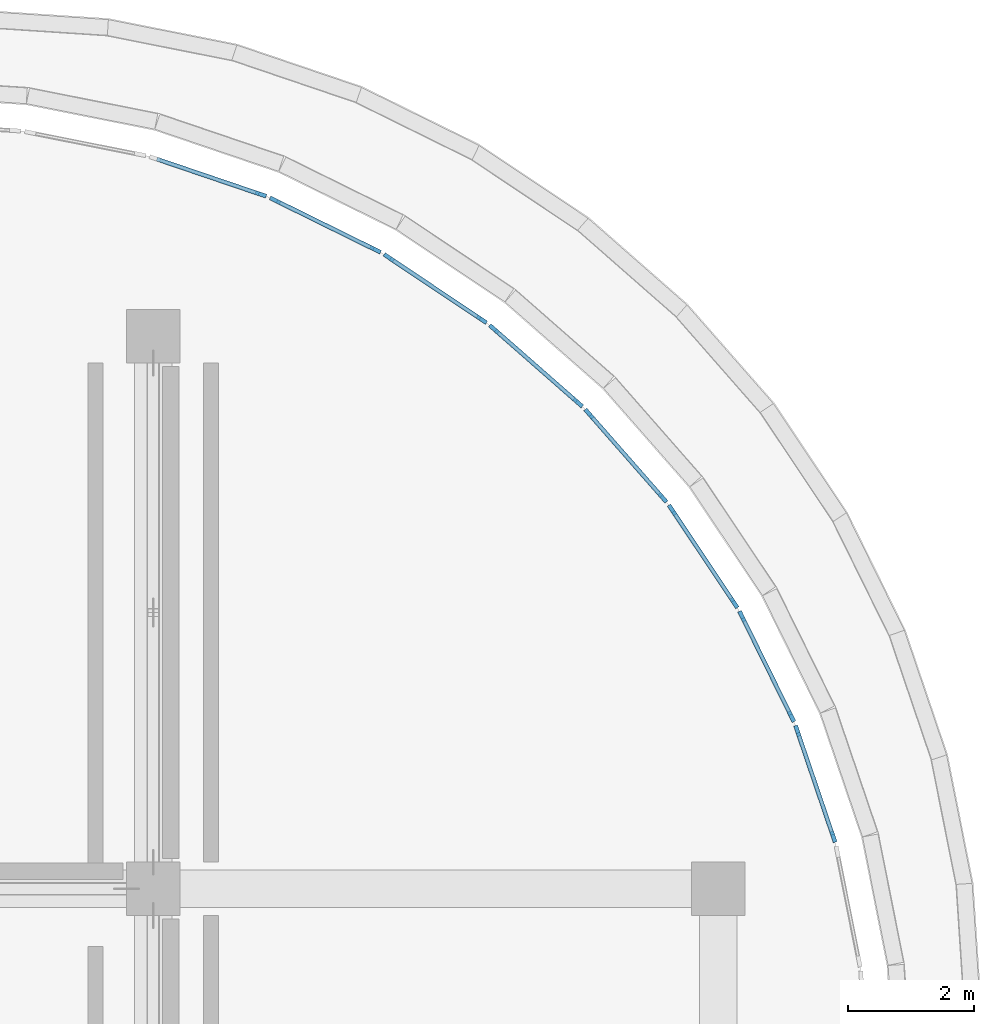
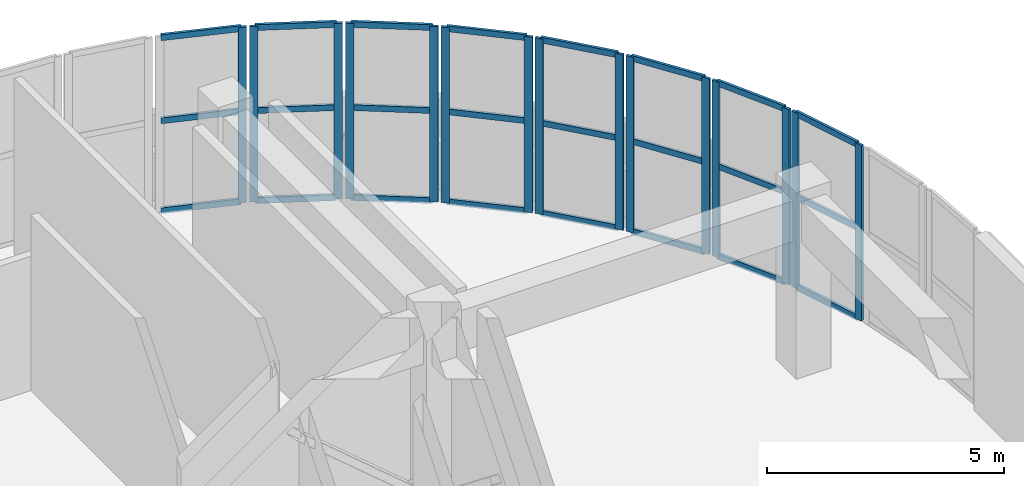
# One storey, part 25 of 67: 39 members, 8 elements without a shape of their own.
"""IFC4 building model written with IfcOpenShell, lengths in metres."""

from ifc_helpers import new_model, si_unit, direction, frame, origin, origin_2d, place, context, subcontext, project, spatial, rectangle, extrude, material, layer, layer_set, material_profile, profile_set, type_object, element, aggregate, save


model = new_model("IFC4")

# Units and contexts
model_context = context("Model", 3, precision=1e-05, world=origin(), true_north=direction((0.0, 1.0)))
body_context = subcontext(model_context, "Body", "Model", "MODEL_VIEW")
ifc_project = project(units=[si_unit("LENGTHUNIT", "METRE"), si_unit("AREAUNIT", "SQUARE_METRE"), si_unit("VOLUMEUNIT", "CUBIC_METRE"), si_unit("PLANEANGLEUNIT", "RADIAN"), si_unit("MASSUNIT", "GRAM", prefix="KILO")], contexts=[model_context])

# Site, building, storey
site_placement = place(None, origin())
site = spatial("IfcSite", under=ifc_project, at=site_placement, CompositionType="ELEMENT")
building_placement = place(site_placement, origin())
building = spatial("IfcBuilding", under=site, at=building_placement, Name="Cendralis Terraced Arcade", CompositionType="ELEMENT")
storey_placement = place(building_placement, frame((0.0, 0.0, 15.0)))
storey = spatial("IfcBuildingStorey", under=building, at=storey_placement, Name="L03", CompositionType="ELEMENT", Elevation=15.0)

# Curtain wall, member
ifc_material = material(Name="Anodised aluminium EN AW-6063 T6", Category="aluminium")
ifc_layer = layer(ifc_material, 0.179931640625, Name="CW-UNIT-A")
ifc_layer_set = layer_set([ifc_layer], Name="Anodised aluminium EN AW-6063 T6")
curtain_wall_type = type_object("IfcCurtainWallType", Name="CW-UNIT-A", PredefinedType="USERDEFINED", material=ifc_layer_set)
curtain_wall_1_placement = place(storey_placement, origin())
curtain_wall_1 = element("IfcCurtainWall", 1, at=curtain_wall_1_placement, inside=storey, type_object=curtain_wall_type, Name="Exterior Unitised Facade CW-L03-0229", ObjectType="UNITISED FACADE", PredefinedType="USERDEFINED")
ifc_material_profile_1 = material_profile(ifc_material, rectangle(XDim=0.06494140625, YDim=0.179931640625, at=origin_2d()), Name="ALU-MUL-65x180")
ifc_profile_set_1 = profile_set([ifc_material_profile_1], Name="Anodised aluminium EN AW-6063 T6")
member_type_1 = type_object("IfcMemberType", Name="CW-UNIT-A-MUL", PredefinedType="MULLION", material=ifc_profile_set_1)
member_1_placement = place(storey_placement, frame((158.91552734375, 109.45947265625, 0.0), z_axis=(0.0, 0.0, 1.0), x_axis=(0.32150002033, 0.946909571674, 0.0)))
member_1 = element("IfcMember", 2, at=member_1_placement, type_object=member_type_1, Name="CW-U1 mullion 2", PredefinedType="MULLION", context=body_context, shape_type="SweptSolid", body=[
    extrude(rectangle(XDim=0.06494140625, YDim=0.179931640625, at=origin_2d()), origin(), (0.0, 0.0, 1.0), 4.52001953125),
])

# Curtain wall, members
curtain_wall_2_placement = place(storey_placement, origin())
curtain_wall_2 = element("IfcCurtainWall", 3, at=curtain_wall_2_placement, inside=storey, type_object=curtain_wall_type, Name="Exterior Unitised Facade CW-L03-0230", ObjectType="UNITISED FACADE", PredefinedType="USERDEFINED")
member_2_placement = place(storey_placement, frame((159.141357421875, 109.365966796875, 0.0), z_axis=(0.0, 0.0, 1.0), x_axis=(0.442270416572, 0.896881752867, 0.0)))
member_2 = element("IfcMember", 4, at=member_2_placement, type_object=member_type_1, Name="CW-U1 mullion 1", PredefinedType="MULLION", context=body_context, shape_type="SweptSolid", body=[
    extrude(rectangle(XDim=0.06494140625, YDim=0.179931640625, at=origin_2d()), origin(), (0.0, 0.0, 1.0), 4.52001953125),
])
member_3_placement = place(storey_placement, frame((160.740234375, 108.57763671875, 0.0), z_axis=(0.0, 0.0, 1.0), x_axis=(0.442270416572, 0.896881752867, 0.0)))
member_3 = element("IfcMember", 5, at=member_3_placement, type_object=member_type_1, Name="CW-U1 mullion 2", PredefinedType="MULLION", context=body_context, shape_type="SweptSolid", body=[
    extrude(rectangle(XDim=0.06494140625, YDim=0.179931640625, at=origin_2d()), origin(), (0.0, 0.0, 1.0), 4.52001953125),
])

curtain_wall_3_placement = place(storey_placement, origin())
curtain_wall_3 = element("IfcCurtainWall", 6, at=curtain_wall_3_placement, inside=storey, type_object=curtain_wall_type, Name="Exterior Unitised Facade CW-L03-0231", ObjectType="UNITISED FACADE", PredefinedType="USERDEFINED")
member_4_placement = place(storey_placement, frame((160.951904296875, 108.455322265625, 0.0), z_axis=(0.0, 0.0, 1.0), x_axis=(0.555549269065, 0.831483619587, 0.0)))
member_4 = element("IfcMember", 7, at=member_4_placement, type_object=member_type_1, Name="CW-U1 mullion 1", PredefinedType="MULLION", context=body_context, shape_type="SweptSolid", body=[
    extrude(rectangle(XDim=0.06494140625, YDim=0.179931640625, at=origin_2d()), origin(), (0.0, 0.0, 1.0), 4.52001953125),
])
member_5_placement = place(storey_placement, frame((162.43408203125, 107.465087890625, 0.0), z_axis=(0.0, 0.0, 1.0), x_axis=(0.555549269065, 0.831483619587, 0.0)))
member_5 = element("IfcMember", 8, at=member_5_placement, type_object=member_type_1, Name="CW-U1 mullion 2", PredefinedType="MULLION", context=body_context, shape_type="SweptSolid", body=[
    extrude(rectangle(XDim=0.06494140625, YDim=0.179931640625, at=origin_2d()), origin(), (0.0, 0.0, 1.0), 4.52001953125),
])

curtain_wall_4_placement = place(storey_placement, origin())
curtain_wall_4 = element("IfcCurtainWall", 9, at=curtain_wall_4_placement, inside=storey, type_object=curtain_wall_type, Name="Exterior Unitised Facade CW-L03-0232", ObjectType="UNITISED FACADE", PredefinedType="USERDEFINED")
member_6_placement = place(storey_placement, frame((162.6279296875, 107.316162109375, 0.0), z_axis=(0.0, 0.0, 1.0), x_axis=(0.659370197402, 0.751818424075, 0.0)))
member_6 = element("IfcMember", 10, at=member_6_placement, type_object=member_type_1, Name="CW-U1 mullion 1", PredefinedType="MULLION", context=body_context, shape_type="SweptSolid", body=[
    extrude(rectangle(XDim=0.06494140625, YDim=0.179931640625, at=origin_2d()), origin(), (0.0, 0.0, 1.0), 4.52001953125),
])
member_7_placement = place(storey_placement, frame((163.968017578125, 106.140869140625, 0.0), z_axis=(0.0, 0.0, 1.0), x_axis=(0.659370197402, 0.751818424075, 0.0)))
member_7 = element("IfcMember", 11, at=member_7_placement, type_object=member_type_1, Name="CW-U1 mullion 2", PredefinedType="MULLION", context=body_context, shape_type="SweptSolid", body=[
    extrude(rectangle(XDim=0.06494140625, YDim=0.179931640625, at=origin_2d()), origin(), (0.0, 0.0, 1.0), 4.52001953125),
])

curtain_wall_5_placement = place(storey_placement, origin())
curtain_wall_5 = element("IfcCurtainWall", 12, at=curtain_wall_5_placement, inside=storey, type_object=curtain_wall_type, Name="Exterior Unitised Facade CW-L03-0233", ObjectType="UNITISED FACADE", PredefinedType="USERDEFINED")
member_8_placement = place(storey_placement, frame((164.140869140625, 105.968017578125, 0.0), z_axis=(0.0, 0.0, 1.0), x_axis=(0.751818424075, 0.659370197402, 0.0)))
member_8 = element("IfcMember", 13, at=member_8_placement, type_object=member_type_1, Name="CW-U1 mullion 1", PredefinedType="MULLION", context=body_context, shape_type="SweptSolid", body=[
    extrude(rectangle(XDim=0.06494140625, YDim=0.179931640625, at=origin_2d()), origin(), (0.0, 0.0, 1.0), 4.52001953125),
])
member_9_placement = place(storey_placement, frame((165.316162109375, 104.6279296875, 0.0), z_axis=(0.0, 0.0, 1.0), x_axis=(0.751818424075, 0.659370197402, 0.0)))
member_9 = element("IfcMember", 14, at=member_9_placement, type_object=member_type_1, Name="CW-U1 mullion 2", PredefinedType="MULLION", context=body_context, shape_type="SweptSolid", body=[
    extrude(rectangle(XDim=0.06494140625, YDim=0.179931640625, at=origin_2d()), origin(), (0.0, 0.0, 1.0), 4.52001953125),
])

curtain_wall_6_placement = place(storey_placement, origin())
curtain_wall_6 = element("IfcCurtainWall", 15, at=curtain_wall_6_placement, inside=storey, type_object=curtain_wall_type, Name="Exterior Unitised Facade CW-L03-0234", ObjectType="UNITISED FACADE", PredefinedType="USERDEFINED")
member_10_placement = place(storey_placement, frame((165.465087890625, 104.43408203125, 0.0), z_axis=(0.0, 0.0, 1.0), x_axis=(0.831483619587, 0.555549269065, 0.0)))
member_10 = element("IfcMember", 16, at=member_10_placement, type_object=member_type_1, Name="CW-U1 mullion 1", PredefinedType="MULLION", context=body_context, shape_type="SweptSolid", body=[
    extrude(rectangle(XDim=0.06494140625, YDim=0.179931640625, at=origin_2d()), origin(), (0.0, 0.0, 1.0), 4.52001953125),
])
member_11_placement = place(storey_placement, frame((166.455322265625, 102.951904296875, 0.0), z_axis=(0.0, 0.0, 1.0), x_axis=(0.831483619587, 0.555549269065, 0.0)))
member_11 = element("IfcMember", 17, at=member_11_placement, type_object=member_type_1, Name="CW-U1 mullion 2", PredefinedType="MULLION", context=body_context, shape_type="SweptSolid", body=[
    extrude(rectangle(XDim=0.06494140625, YDim=0.179931640625, at=origin_2d()), origin(), (0.0, 0.0, 1.0), 4.52001953125),
])

curtain_wall_7_placement = place(storey_placement, origin())
curtain_wall_7 = element("IfcCurtainWall", 18, at=curtain_wall_7_placement, inside=storey, type_object=curtain_wall_type, Name="Exterior Unitised Facade CW-L03-0235", ObjectType="UNITISED FACADE", PredefinedType="USERDEFINED")
member_12_placement = place(storey_placement, frame((166.57763671875, 102.740234375, 0.0), z_axis=(0.0, 0.0, 1.0), x_axis=(0.896881752867, 0.442270416572, 0.0)))
member_12 = element("IfcMember", 19, at=member_12_placement, type_object=member_type_1, Name="CW-U1 mullion 1", PredefinedType="MULLION", context=body_context, shape_type="SweptSolid", body=[
    extrude(rectangle(XDim=0.06494140625, YDim=0.179931640625, at=origin_2d()), origin(), (0.0, 0.0, 1.0), 4.52001953125),
])
member_13_placement = place(storey_placement, frame((167.365966796875, 101.141357421875, 0.0), z_axis=(0.0, 0.0, 1.0), x_axis=(0.896881752867, 0.442270416572, 0.0)))
member_13 = element("IfcMember", 20, at=member_13_placement, type_object=member_type_1, Name="CW-U1 mullion 2", PredefinedType="MULLION", context=body_context, shape_type="SweptSolid", body=[
    extrude(rectangle(XDim=0.06494140625, YDim=0.179931640625, at=origin_2d()), origin(), (0.0, 0.0, 1.0), 4.52001953125),
])

curtain_wall_8_placement = place(storey_placement, origin())
curtain_wall_8 = element("IfcCurtainWall", 21, at=curtain_wall_8_placement, inside=storey, type_object=curtain_wall_type, Name="Exterior Unitised Facade CW-L03-0236", ObjectType="UNITISED FACADE", PredefinedType="USERDEFINED")
member_14_placement = place(storey_placement, frame((167.45947265625, 100.91552734375, 0.0), z_axis=(0.0, 0.0, 1.0), x_axis=(0.946909571674, 0.32150002033, 0.0)))
member_14 = element("IfcMember", 22, at=member_14_placement, type_object=member_type_1, Name="CW-U1 mullion 1", PredefinedType="MULLION", context=body_context, shape_type="SweptSolid", body=[
    extrude(rectangle(XDim=0.06494140625, YDim=0.179931640625, at=origin_2d()), origin(), (0.0, 0.0, 1.0), 4.52001953125),
])
member_15_placement = place(storey_placement, frame((168.032470703125, 99.227783203125, 0.0), z_axis=(0.0, 0.0, 1.0), x_axis=(0.946909571674, 0.32150002033, 0.0)))
member_15 = element("IfcMember", 23, at=member_15_placement, type_object=member_type_1, Name="CW-U1 mullion 2", PredefinedType="MULLION", context=body_context, shape_type="SweptSolid", body=[
    extrude(rectangle(XDim=0.06494140625, YDim=0.179931640625, at=origin_2d()), origin(), (0.0, 0.0, 1.0), 4.52001953125),
])

# Member
ifc_material_profile_2 = material_profile(ifc_material, rectangle(XDim=0.06494140625, YDim=0.14990234375, at=origin_2d()), Name="ALU-TRN-65x150")
ifc_profile_set_2 = profile_set([ifc_material_profile_2], Name="Anodised aluminium EN AW-6063 T6")
member_type_2 = type_object("IfcMemberType", Name="CW-UNIT-A-TRN", PredefinedType="USERDEFINED", material=ifc_profile_set_2)
member_16_placement = place(storey_placement, frame((157.258544921875, 110.022216796875, 0.032470703125), z_axis=(0.946891388913, -0.321553568792, 0.0), x_axis=(0.321553568792, 0.946891388913, 0.0)))
member_16 = element("IfcMember", 24, at=member_16_placement, type_object=member_type_2, Name="CW-U1 transom 1.1", ObjectType="TRANSOM", PredefinedType="USERDEFINED", context=body_context, shape_type="SweptSolid", body=[
    extrude(rectangle(XDim=0.06494140625, YDim=0.14990234375, at=origin_2d()), origin(), (0.0, 0.0, 1.0), 1.717529296875),
])

member_17_placement = place(storey_placement, frame((157.258544921875, 110.022216796875, 2.350341796875), z_axis=(0.946891388913, -0.321553568792, 0.0), x_axis=(0.321553568792, 0.946891388913, 0.0)))
member_17 = element("IfcMember", 25, at=member_17_placement, type_object=member_type_2, Name="CW-U1 transom 1.2", ObjectType="TRANSOM", PredefinedType="USERDEFINED", context=body_context, shape_type="SweptSolid", body=[
    extrude(rectangle(XDim=0.06494140625, YDim=0.14990234375, at=origin_2d()), origin(), (0.0, 0.0, 1.0), 1.717529296875),
])

member_18_placement = place(storey_placement, frame((157.258544921875, 110.022216796875, 4.487548828125), z_axis=(0.946891388913, -0.321553568792, 0.0), x_axis=(0.321553568792, 0.946891388913, 0.0)))
member_18 = element("IfcMember", 26, at=member_18_placement, type_object=member_type_2, Name="CW-U1 transom 1.3", ObjectType="TRANSOM", PredefinedType="USERDEFINED", context=body_context, shape_type="SweptSolid", body=[
    extrude(rectangle(XDim=0.06494140625, YDim=0.14990234375, at=origin_2d()), origin(), (0.0, 0.0, 1.0), 1.717529296875),
])

aggregate(curtain_wall_1, [member_1, member_16, member_17, member_18])

member_19_placement = place(storey_placement, frame((159.170654296875, 109.3515625, 0.032470703125), z_axis=(0.896887092302, -0.442259588548, 0.0), x_axis=(0.442259588548, 0.896887092302, 0.0)))
member_19 = element("IfcMember", 27, at=member_19_placement, type_object=member_type_2, Name="CW-U1 transom 1.1", ObjectType="TRANSOM", PredefinedType="USERDEFINED", context=body_context, shape_type="SweptSolid", body=[
    extrude(rectangle(XDim=0.06494140625, YDim=0.14990234375, at=origin_2d()), origin(), (0.0, 0.0, 1.0), 1.71728515625),
])

member_20_placement = place(storey_placement, frame((159.170654296875, 109.3515625, 2.350341796875), z_axis=(0.896887092302, -0.442259588548, 0.0), x_axis=(0.442259588548, 0.896887092302, 0.0)))
member_20 = element("IfcMember", 28, at=member_20_placement, type_object=member_type_2, Name="CW-U1 transom 1.2", ObjectType="TRANSOM", PredefinedType="USERDEFINED", context=body_context, shape_type="SweptSolid", body=[
    extrude(rectangle(XDim=0.06494140625, YDim=0.14990234375, at=origin_2d()), origin(), (0.0, 0.0, 1.0), 1.71728515625),
])

member_21_placement = place(storey_placement, frame((159.170654296875, 109.3515625, 4.487548828125), z_axis=(0.896887092302, -0.442259588548, 0.0), x_axis=(0.442259588548, 0.896887092302, 0.0)))
member_21 = element("IfcMember", 29, at=member_21_placement, type_object=member_type_2, Name="CW-U1 transom 1.3", ObjectType="TRANSOM", PredefinedType="USERDEFINED", context=body_context, shape_type="SweptSolid", body=[
    extrude(rectangle(XDim=0.06494140625, YDim=0.14990234375, at=origin_2d()), origin(), (0.0, 0.0, 1.0), 1.71728515625),
])

aggregate(curtain_wall_2, [member_2, member_3, member_19, member_20, member_21])

member_22_placement = place(storey_placement, frame((160.978759765625, 108.437255859375, 0.032470703125), z_axis=(0.831525093452, -0.555487190635, 0.0), x_axis=(0.555487190635, 0.831525093452, 0.0)))
member_22 = element("IfcMember", 30, at=member_22_placement, type_object=member_type_2, Name="CW-U1 transom 1.1", ObjectType="TRANSOM", PredefinedType="USERDEFINED", context=body_context, shape_type="SweptSolid", body=[
    extrude(rectangle(XDim=0.06494140625, YDim=0.14990234375, at=origin_2d()), origin(), (0.0, 0.0, 1.0), 1.717529296875),
])

member_23_placement = place(storey_placement, frame((160.978759765625, 108.437255859375, 2.350341796875), z_axis=(0.831525093452, -0.555487190635, 0.0), x_axis=(0.555487190635, 0.831525093452, 0.0)))
member_23 = element("IfcMember", 31, at=member_23_placement, type_object=member_type_2, Name="CW-U1 transom 1.2", ObjectType="TRANSOM", PredefinedType="USERDEFINED", context=body_context, shape_type="SweptSolid", body=[
    extrude(rectangle(XDim=0.06494140625, YDim=0.14990234375, at=origin_2d()), origin(), (0.0, 0.0, 1.0), 1.717529296875),
])

member_24_placement = place(storey_placement, frame((160.978759765625, 108.437255859375, 4.487548828125), z_axis=(0.831525093452, -0.555487190635, 0.0), x_axis=(0.555487190635, 0.831525093452, 0.0)))
member_24 = element("IfcMember", 32, at=member_24_placement, type_object=member_type_2, Name="CW-U1 transom 1.3", ObjectType="TRANSOM", PredefinedType="USERDEFINED", context=body_context, shape_type="SweptSolid", body=[
    extrude(rectangle(XDim=0.06494140625, YDim=0.14990234375, at=origin_2d()), origin(), (0.0, 0.0, 1.0), 1.717529296875),
])

aggregate(curtain_wall_3, [member_4, member_5, member_22, member_23, member_24])

member_25_placement = place(storey_placement, frame((162.65234375, 107.294921875, 0.032470703125), z_axis=(0.751792490336, -0.659399766056, 0.0), x_axis=(0.659399766056, 0.751792490336, 0.0)))
member_25 = element("IfcMember", 33, at=member_25_placement, type_object=member_type_2, Name="CW-U1 transom 1.1", ObjectType="TRANSOM", PredefinedType="USERDEFINED", context=body_context, shape_type="SweptSolid", body=[
    extrude(rectangle(XDim=0.06494140625, YDim=0.14990234375, at=origin_2d()), origin(), (0.0, 0.0, 1.0), 1.717529296875),
])

member_26_placement = place(storey_placement, frame((162.65234375, 107.294921875, 2.350341796875), z_axis=(0.751792490336, -0.659399766056, 0.0), x_axis=(0.659399766056, 0.751792490336, 0.0)))
member_26 = element("IfcMember", 34, at=member_26_placement, type_object=member_type_2, Name="CW-U1 transom 1.2", ObjectType="TRANSOM", PredefinedType="USERDEFINED", context=body_context, shape_type="SweptSolid", body=[
    extrude(rectangle(XDim=0.06494140625, YDim=0.14990234375, at=origin_2d()), origin(), (0.0, 0.0, 1.0), 1.717529296875),
])

member_27_placement = place(storey_placement, frame((162.65234375, 107.294921875, 4.487548828125), z_axis=(0.751792490336, -0.659399766056, 0.0), x_axis=(0.659399766056, 0.751792490336, 0.0)))
member_27 = element("IfcMember", 35, at=member_27_placement, type_object=member_type_2, Name="CW-U1 transom 1.3", ObjectType="TRANSOM", PredefinedType="USERDEFINED", context=body_context, shape_type="SweptSolid", body=[
    extrude(rectangle(XDim=0.06494140625, YDim=0.14990234375, at=origin_2d()), origin(), (0.0, 0.0, 1.0), 1.717529296875),
])

aggregate(curtain_wall_4, [member_6, member_7, member_25, member_26, member_27])

member_28_placement = place(storey_placement, frame((164.162353515625, 105.943603515625, 0.032470703125), z_axis=(0.659399766056, -0.751792490336, 0.0), x_axis=(0.751792490336, 0.659399766056, 0.0)))
member_28 = element("IfcMember", 36, at=member_28_placement, type_object=member_type_2, Name="CW-U1 transom 1.1", ObjectType="TRANSOM", PredefinedType="USERDEFINED", context=body_context, shape_type="SweptSolid", body=[
    extrude(rectangle(XDim=0.06494140625, YDim=0.14990234375, at=origin_2d()), origin(), (0.0, 0.0, 1.0), 1.717529296875),
])

member_29_placement = place(storey_placement, frame((164.162353515625, 105.943603515625, 2.350341796875), z_axis=(0.659399766056, -0.751792490336, 0.0), x_axis=(0.751792490336, 0.659399766056, 0.0)))
member_29 = element("IfcMember", 37, at=member_29_placement, type_object=member_type_2, Name="CW-U1 transom 1.2", ObjectType="TRANSOM", PredefinedType="USERDEFINED", context=body_context, shape_type="SweptSolid", body=[
    extrude(rectangle(XDim=0.06494140625, YDim=0.14990234375, at=origin_2d()), origin(), (0.0, 0.0, 1.0), 1.717529296875),
])

member_30_placement = place(storey_placement, frame((164.162353515625, 105.943603515625, 4.487548828125), z_axis=(0.659399766056, -0.751792490336, 0.0), x_axis=(0.751792490336, 0.659399766056, 0.0)))
member_30 = element("IfcMember", 38, at=member_30_placement, type_object=member_type_2, Name="CW-U1 transom 1.3", ObjectType="TRANSOM", PredefinedType="USERDEFINED", context=body_context, shape_type="SweptSolid", body=[
    extrude(rectangle(XDim=0.06494140625, YDim=0.14990234375, at=origin_2d()), origin(), (0.0, 0.0, 1.0), 1.717529296875),
])

aggregate(curtain_wall_5, [member_8, member_9, member_28, member_29, member_30])

member_31_placement = place(storey_placement, frame((165.483154296875, 104.406982421875, 0.032470703125), z_axis=(0.555487190635, -0.831525093452, 0.0), x_axis=(0.831525093452, 0.555487190635, 0.0)))
member_31 = element("IfcMember", 39, at=member_31_placement, type_object=member_type_2, Name="CW-U1 transom 1.1", ObjectType="TRANSOM", PredefinedType="USERDEFINED", context=body_context, shape_type="SweptSolid", body=[
    extrude(rectangle(XDim=0.06494140625, YDim=0.14990234375, at=origin_2d()), origin(), (0.0, 0.0, 1.0), 1.717529296875),
])

member_32_placement = place(storey_placement, frame((165.483154296875, 104.406982421875, 2.350341796875), z_axis=(0.555487190635, -0.831525093452, 0.0), x_axis=(0.831525093452, 0.555487190635, 0.0)))
member_32 = element("IfcMember", 40, at=member_32_placement, type_object=member_type_2, Name="CW-U1 transom 1.2", ObjectType="TRANSOM", PredefinedType="USERDEFINED", context=body_context, shape_type="SweptSolid", body=[
    extrude(rectangle(XDim=0.06494140625, YDim=0.14990234375, at=origin_2d()), origin(), (0.0, 0.0, 1.0), 1.717529296875),
])

member_33_placement = place(storey_placement, frame((165.483154296875, 104.406982421875, 4.487548828125), z_axis=(0.555487190635, -0.831525093452, 0.0), x_axis=(0.831525093452, 0.555487190635, 0.0)))
member_33 = element("IfcMember", 41, at=member_33_placement, type_object=member_type_2, Name="CW-U1 transom 1.3", ObjectType="TRANSOM", PredefinedType="USERDEFINED", context=body_context, shape_type="SweptSolid", body=[
    extrude(rectangle(XDim=0.06494140625, YDim=0.14990234375, at=origin_2d()), origin(), (0.0, 0.0, 1.0), 1.717529296875),
])

aggregate(curtain_wall_6, [member_10, member_11, member_31, member_32, member_33])

member_34_placement = place(storey_placement, frame((166.592041015625, 102.7109375, 0.032470703125), z_axis=(0.442259588548, -0.896887092302, 0.0), x_axis=(0.896887092302, 0.442259588548, 0.0)))
member_34 = element("IfcMember", 42, at=member_34_placement, type_object=member_type_2, Name="CW-U1 transom 1.1", ObjectType="TRANSOM", PredefinedType="USERDEFINED", context=body_context, shape_type="SweptSolid", body=[
    extrude(rectangle(XDim=0.06494140625, YDim=0.14990234375, at=origin_2d()), origin(), (0.0, 0.0, 1.0), 1.71728515625),
])

member_35_placement = place(storey_placement, frame((166.592041015625, 102.7109375, 2.350341796875), z_axis=(0.442259588548, -0.896887092302, 0.0), x_axis=(0.896887092302, 0.442259588548, 0.0)))
member_35 = element("IfcMember", 43, at=member_35_placement, type_object=member_type_2, Name="CW-U1 transom 1.2", ObjectType="TRANSOM", PredefinedType="USERDEFINED", context=body_context, shape_type="SweptSolid", body=[
    extrude(rectangle(XDim=0.06494140625, YDim=0.14990234375, at=origin_2d()), origin(), (0.0, 0.0, 1.0), 1.71728515625),
])

member_36_placement = place(storey_placement, frame((166.592041015625, 102.7109375, 4.487548828125), z_axis=(0.442259588548, -0.896887092302, 0.0), x_axis=(0.896887092302, 0.442259588548, 0.0)))
member_36 = element("IfcMember", 44, at=member_36_placement, type_object=member_type_2, Name="CW-U1 transom 1.3", ObjectType="TRANSOM", PredefinedType="USERDEFINED", context=body_context, shape_type="SweptSolid", body=[
    extrude(rectangle(XDim=0.06494140625, YDim=0.14990234375, at=origin_2d()), origin(), (0.0, 0.0, 1.0), 1.71728515625),
])

aggregate(curtain_wall_7, [member_12, member_13, member_34, member_35, member_36])

member_37_placement = place(storey_placement, frame((167.469970703125, 100.884765625, 0.032470703125), z_axis=(0.321553568792, -0.946891388913, 0.0), x_axis=(0.946891388913, 0.321553568792, 0.0)))
member_37 = element("IfcMember", 45, at=member_37_placement, type_object=member_type_2, Name="CW-U1 transom 1.1", ObjectType="TRANSOM", PredefinedType="USERDEFINED", context=body_context, shape_type="SweptSolid", body=[
    extrude(rectangle(XDim=0.06494140625, YDim=0.14990234375, at=origin_2d()), origin(), (0.0, 0.0, 1.0), 1.717529296875),
])

member_38_placement = place(storey_placement, frame((167.469970703125, 100.884765625, 2.350341796875), z_axis=(0.321553568792, -0.946891388913, 0.0), x_axis=(0.946891388913, 0.321553568792, 0.0)))
member_38 = element("IfcMember", 46, at=member_38_placement, type_object=member_type_2, Name="CW-U1 transom 1.2", ObjectType="TRANSOM", PredefinedType="USERDEFINED", context=body_context, shape_type="SweptSolid", body=[
    extrude(rectangle(XDim=0.06494140625, YDim=0.14990234375, at=origin_2d()), origin(), (0.0, 0.0, 1.0), 1.717529296875),
])

member_39_placement = place(storey_placement, frame((167.469970703125, 100.884765625, 4.487548828125), z_axis=(0.321553568792, -0.946891388913, 0.0), x_axis=(0.946891388913, 0.321553568792, 0.0)))
member_39 = element("IfcMember", 47, at=member_39_placement, type_object=member_type_2, Name="CW-U1 transom 1.3", ObjectType="TRANSOM", PredefinedType="USERDEFINED", context=body_context, shape_type="SweptSolid", body=[
    extrude(rectangle(XDim=0.06494140625, YDim=0.14990234375, at=origin_2d()), origin(), (0.0, 0.0, 1.0), 1.717529296875),
])

aggregate(curtain_wall_8, [member_14, member_15, member_37, member_38, member_39])

save(model, "model.ifc")
